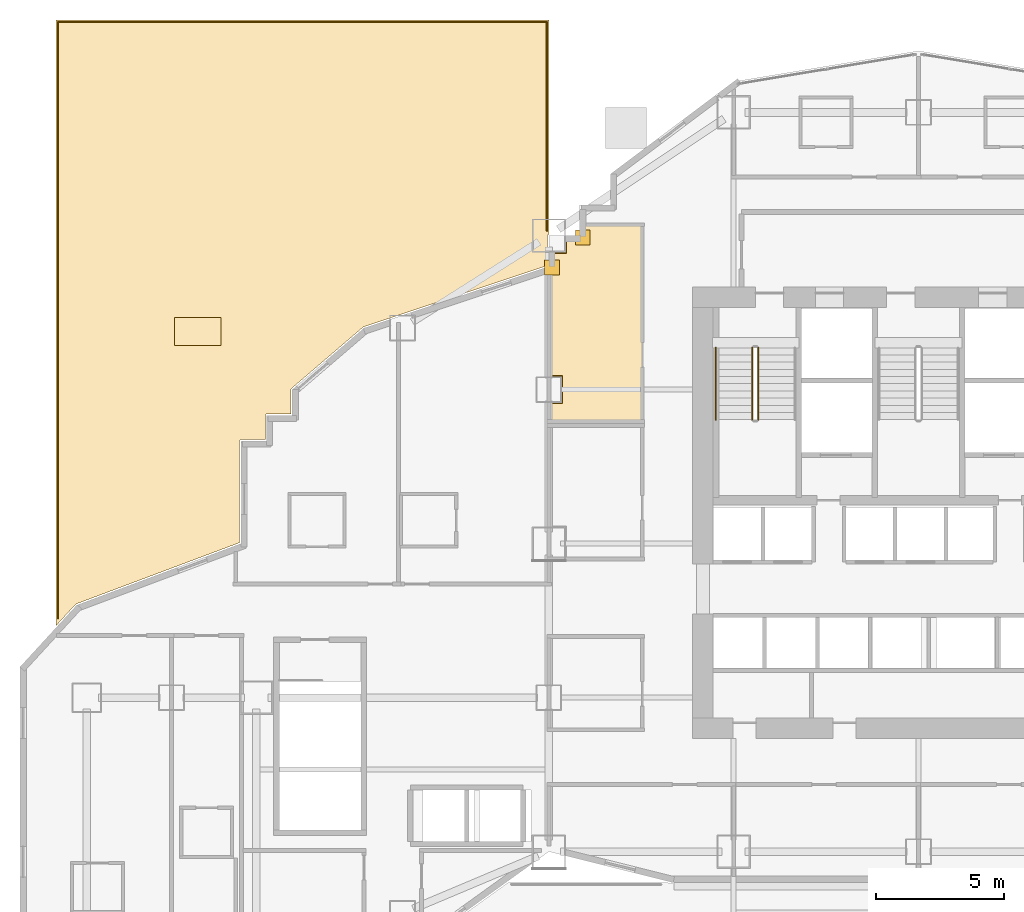
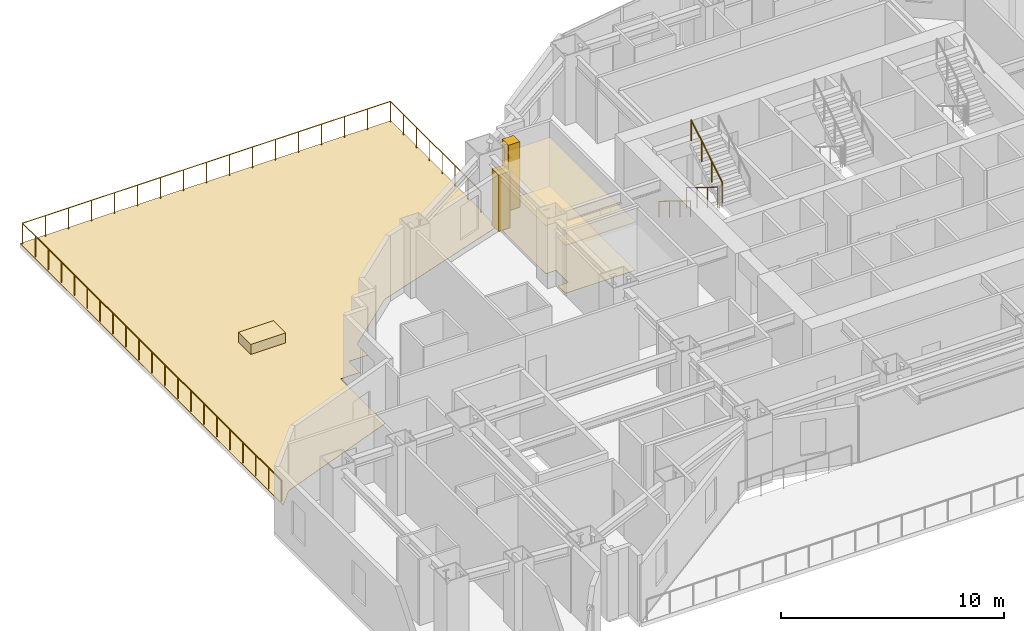
# One storey, part 18 of 20: 6 coverings, 4 railings.
"""IFC4 building model written with IfcOpenShell, lengths in metres."""

from ifc_helpers import new_model, si_unit, direction, frame, origin, origin_2d, place, context, subcontext, project, spatial, polyline, rectangle, circle, outline, extrude, material, layer, layer_set, type_object, element, save


model = new_model("IFC4")

# Units and contexts
model_context = context("Model", 3, precision=1e-05, world=origin(), true_north=direction((0.0, 1.0)))
body_context = subcontext(model_context, "Body", "Model", "MODEL_VIEW")
ifc_project = project(units=[si_unit("LENGTHUNIT", "METRE"), si_unit("AREAUNIT", "SQUARE_METRE"), si_unit("VOLUMEUNIT", "CUBIC_METRE"), si_unit("PLANEANGLEUNIT", "RADIAN"), si_unit("MASSUNIT", "GRAM", prefix="KILO")], contexts=[model_context])

# Site, building, storey
site_placement = place(None, origin())
site = spatial("IfcSite", under=ifc_project, at=site_placement, CompositionType="ELEMENT")
building_placement = place(site_placement, origin())
building = spatial("IfcBuilding", under=site, at=building_placement, Name="Haolan Belvedere Tower", CompositionType="ELEMENT")
storey_placement = place(building_placement, frame((0.0, 0.0, 24.0)))
storey = spatial("IfcBuildingStorey", under=building, at=storey_placement, Name="L05", CompositionType="ELEMENT", Elevation=24.0)

# Coverings
ifc_material_1 = material(Name="Acoustic mineral-fibre suspended ceiling system", Category="masonry")
ifc_layer_1 = layer(ifc_material_1, 0.02490234375, Name="Acoustic mineral-fibre suspended ceiling system")
ifc_layer_set_1 = layer_set([ifc_layer_1], Name="Acoustic mineral-fibre suspended ceiling system")
covering_type_1 = type_object("IfcCoveringType", Name="COV-CEIL-AC25", PredefinedType="CEILING", material=ifc_layer_set_1)
covering_1_placement = place(storey_placement, frame((0.0, 0.0, 2.64990234375)))
element("IfcCovering", 1, at=covering_1_placement, inside=storey, type_object=covering_type_1, Name="L05 suspended acoustic ceiling L05-VLT.2", PredefinedType="CEILING", context=body_context, shape_type="SweptSolid", body=[
    extrude(outline(polyline([(23.988037109375, 40.114990234375), (24.514892578125, 40.114990234375), (24.514892578125, 39.0849609375), (23.988037109375, 39.0849609375), (23.988037109375, 38.347900390625), (27.652099609375, 38.347900390625), (27.652099609375, 46.031982421875), (25.318115234375, 46.031982421875), (25.318115234375, 45.48193359375), (24.6650390625, 45.48193359375), (24.6650390625, 44.93505859375), (24.117919921875, 44.93505859375), (24.117919921875, 44.31494140625), (23.988037109375, 44.271728515625), (23.988037109375, 40.114990234375)])), origin(), (0.0, 0.0, 1.0), 0.025146484375),
])
ifc_material_2 = material(Name="Pale champagne-silver anodised aluminium rainscreen cladding", Category="aluminium")
ifc_layer_2 = layer(ifc_material_2, 0.034912109375, Name="Pale champagne-silver anodised aluminium rainscreen cladding")
ifc_layer_set_2 = layer_set([ifc_layer_2], Name="Pale champagne-silver anodised aluminium rainscreen cladding")
covering_type_2 = type_object("IfcCoveringType", Name="COV-CLAD-35", PredefinedType="CLADDING", material=ifc_layer_set_2)
covering_2_placement = place(storey_placement, frame((25.320068359375, 45.5224609375, 0.0), z_axis=(0.0, 0.0, 1.0), x_axis=(1.0, 0.0, 0.0)))
element("IfcCovering", 2, at=covering_2_placement, inside=storey, type_object=covering_type_2, Name="L05 pale-metal serrated corner cladding trim 11", PredefinedType="CLADDING", context=body_context, shape_type="SweptSolid", body=[
    extrude(rectangle(XDim=0.580078125, YDim=0.580078125, at=origin_2d()), origin(), (0.0, 0.0, 1.0), 3.60009765625),
])
covering_3_placement = place(storey_placement, frame((24.1201171875, 44.35595703125, 0.0), z_axis=(0.0, 0.0, 1.0), x_axis=(1.0, 0.0, 0.0)))
element("IfcCovering", 3, at=covering_3_placement, inside=storey, type_object=covering_type_2, Name="L05 pale-metal serrated corner cladding trim 12", PredefinedType="CLADDING", context=body_context, shape_type="SweptSolid", body=[
    extrude(rectangle(XDim=0.580078125, YDim=0.580078125, at=origin_2d()), origin(), (0.0, 0.0, 1.0), 3.096923828125),
])
ifc_material_3 = material(Name="Honed terrazzo and natural granite stone flooring", Category="masonry")
ifc_layer_3 = layer(ifc_material_3, 0.014892578125, Name="Honed terrazzo and natural granite stone flooring")
ifc_layer_set_3 = layer_set([ifc_layer_3], Name="Honed terrazzo and natural granite stone flooring")
covering_type_3 = type_object("IfcCoveringType", Name="COV-FLR-STN30", PredefinedType="FLOORING", material=ifc_layer_set_3)
covering_4_placement = place(storey_placement, origin())
element("IfcCovering", 4, at=covering_4_placement, inside=storey, type_object=covering_type_3, Name="L05 polished stone floor finish L05-VLT.2", PredefinedType="FLOORING", context=body_context, shape_type="SweptSolid", body=[
    extrude(outline(polyline([(24.5400390625, 40.139892578125), (24.5400390625, 39.06005859375), (24.012939453125, 39.06005859375), (24.012939453125, 38.373046875), (27.626953125, 38.373046875), (27.626953125, 46.007080078125), (25.343017578125, 46.007080078125), (25.343017578125, 45.45703125), (24.68994140625, 45.45703125), (24.68994140625, 44.909912109375), (24.14306640625, 44.909912109375), (24.14306640625, 44.297119140625), (24.012939453125, 44.253662109375), (24.012939453125, 40.139892578125), (24.5400390625, 40.139892578125)])), origin(), (0.0, 0.0, 1.0), 0.014892578125),
])
ifc_material_4 = material(Name="Engineered lightweight planted garden soil substrate", Category="masonry")
ifc_layer_4 = layer(ifc_material_4, 0.550048828125, Name="Engineered lightweight planted garden soil substrate")
ifc_layer_set_4 = layer_set([ifc_layer_4], Name="Engineered lightweight planted garden soil substrate")
covering_type_4 = type_object("IfcCoveringType", Name="COV-PLANT-550", PredefinedType="MEMBRANE", material=ifc_layer_set_4)
covering_5_placement = place(storey_placement, frame((10.31982421875, 41.863525390625, 0.0), z_axis=(0.0, 0.0, 1.0), x_axis=(1.0, 0.0, 0.0)))
element("IfcCovering", 5, at=covering_5_placement, inside=storey, type_object=covering_type_4, Name="L05 cascade garden terrace PLANTER bed 2", PredefinedType="MEMBRANE", context=body_context, shape_type="SweptSolid", body=[
    extrude(rectangle(XDim=1.800048828125, YDim=1.10009765625, at=origin_2d()), origin(), (0.0, 0.0, 1.0), 0.550048828125),
])
ifc_material_5 = material(Name="Elastomeric waterproof roofing membrane and stone pavers", Category="masonry")
ifc_layer_5 = layer(ifc_material_5, 0.02001953125, Name="Elastomeric waterproof roofing membrane and stone pavers")
ifc_layer_set_5 = layer_set([ifc_layer_5], Name="Elastomeric waterproof roofing membrane and stone pavers")
covering_type_5 = type_object("IfcCoveringType", Name="COV-ROOF-20", PredefinedType="ROOFING", material=ifc_layer_set_5)
covering_6_placement = place(storey_placement, frame((0.0, 0.0, -0.02001953125)))
element("IfcCovering", 6, at=covering_6_placement, inside=storey, type_object=covering_type_5, Name="L05 garden terrace waterproof roofing paver 2", PredefinedType="ROOFING", context=body_context, shape_type="SweptSolid", body=[
    extrude(outline(polyline([(24.0, 45.64990234375), (24.0, 54.0), (4.800048828125, 54.0), (4.800048828125, 30.4013671875), (5.56201171875, 31.232421875), (5.564208984375, 31.234619140625), (5.568359375, 31.238525390625), (5.572021484375, 31.2412109375), (5.576171875, 31.243896484375), (5.581298828125, 31.246337890625), (5.583984375, 31.247314453125), (11.949951171875, 33.634765625), (11.949951171875, 37.59814453125), (11.9501953125, 37.601318359375), (11.95068359375, 37.607421875), (11.95166015625, 37.612060546875), (11.952880859375, 37.61669921875), (11.954833984375, 37.621337890625), (11.957275390625, 37.62548828125), (11.9599609375, 37.629638671875), (11.962890625, 37.633544921875), (11.966552734375, 37.636962890625), (11.97021484375, 37.64013671875), (11.974365234375, 37.642822265625), (11.978759765625, 37.64501953125), (11.983154296875, 37.64697265625), (11.98779296875, 37.6484375), (11.99267578125, 37.6494140625), (11.99853515625, 37.64990234375), (12.001708984375, 37.64990234375), (12.949951171875, 37.64990234375), (12.949951171875, 38.59814453125), (12.9501953125, 38.601318359375), (12.95068359375, 38.607421875), (12.95166015625, 38.612060546875), (12.952880859375, 38.61669921875), (12.954833984375, 38.621337890625), (12.957275390625, 38.62548828125), (12.9599609375, 38.629638671875), (12.962890625, 38.633544921875), (12.966552734375, 38.636962890625), (12.97021484375, 38.64013671875), (12.974365234375, 38.642822265625), (12.978759765625, 38.64501953125), (12.983154296875, 38.64697265625), (12.98779296875, 38.6484375), (12.99267578125, 38.6494140625), (12.99853515625, 38.64990234375), (13.001708984375, 38.64990234375), (13.949951171875, 38.64990234375), (13.949951171875, 39.59814453125), (13.9501953125, 39.601318359375), (13.95068359375, 39.607177734375), (13.951416015625, 39.61181640625), (13.952880859375, 39.616455078125), (13.95458984375, 39.620849609375), (13.956787109375, 39.625), (13.95947265625, 39.629150390625), (13.96240234375, 39.6328125), (13.966552734375, 39.636962890625), (13.96875, 39.63916015625), (16.76611328125, 42.036865234375), (16.7685546875, 42.038818359375), (16.7734375, 42.042236328125), (16.777587890625, 42.04443359375), (16.782958984375, 42.046875), (16.785888671875, 42.048095703125), (23.949951171875, 44.43603515625), (23.949951171875, 45.59814453125), (23.9501953125, 45.601318359375), (23.95068359375, 45.607421875), (23.95166015625, 45.612060546875), (23.952880859375, 45.61669921875), (23.954833984375, 45.621337890625), (23.957275390625, 45.62548828125), (23.9599609375, 45.629638671875), (23.962890625, 45.633544921875), (23.966552734375, 45.636962890625), (23.97021484375, 45.64013671875), (23.974365234375, 45.642822265625), (23.978759765625, 45.64501953125), (23.983154296875, 45.64697265625), (23.98779296875, 45.6484375), (23.99267578125, 45.6494140625), (23.99853515625, 45.64990234375), (24.0, 45.64990234375)])), origin(), (0.0, 0.0, 1.0), 0.02001953125),
])

# Railings
ifc_material_6 = material(Name="Brushed stainless steel 304", Category="steel")
railing_type_1 = type_object("IfcRailingType", Name="RL-STAIR-GRD-1150", PredefinedType="GUARDRAIL", material=ifc_material_6)
railing_1_placement = place(storey_placement, frame((31.919921875, 41.22998046875, 0.172607421875)))
element("IfcRailing", 7, at=railing_1_placement, inside=storey, type_object=railing_type_1, Name="L05 ST1 stair guard 1", PredefinedType="GUARDRAIL", context=body_context, shape_type="SweptSolid", body=[
    extrude(circle(Radius=0.02392578125, at=origin_2d()), frame((0.0, 0.0, 1.1259765625), z_axis=(0.0, -0.851089632645, 0.525020415988), x_axis=(1.0, 0.0, 0.0)), (0.0, 0.0, 1.0), 3.2900390625),
    extrude(circle(Radius=0.02099609375, at=origin_2d()), origin(), (0.0, 0.0, 1.0), 1.101806640625),
    extrude(circle(Radius=0.02099609375, at=origin_2d()), frame((0.0, -0.933349609375, 0.57568359375)), (0.0, 0.0, 1.0), 1.101806640625),
    extrude(circle(Radius=0.02099609375, at=origin_2d()), frame((0.0, -1.86669921875, 1.151611328125)), (0.0, 0.0, 1.0), 1.101806640625),
    extrude(circle(Radius=0.02099609375, at=origin_2d()), frame((0.0, -2.800048828125, 1.727294921875)), (0.0, 0.0, 1.0), 1.101806640625),
])
railing_2_placement = place(storey_placement, frame((32.159912109375, 38.429931640625, 2.07275390625)))
element("IfcRailing", 8, at=railing_2_placement, inside=storey, type_object=railing_type_1, Name="L05 ST1 stair guard 3", PredefinedType="GUARDRAIL", context=body_context, shape_type="SweptSolid", body=[
    extrude(circle(Radius=0.02392578125, at=origin_2d()), frame((0.0, 0.0, 1.1259765625), z_axis=(0.0, 0.851089632645, 0.525020415988), x_axis=(-1.0, 0.0, 0.0)), (0.0, 0.0, 1.0), 3.2900390625),
    extrude(circle(Radius=0.02099609375, at=origin_2d()), origin(), (0.0, 0.0, 1.0), 1.101806640625),
    extrude(circle(Radius=0.02099609375, at=origin_2d()), frame((0.0, 0.933349609375, 0.57568359375)), (0.0, 0.0, 1.0), 1.101806640625),
    extrude(circle(Radius=0.02099609375, at=origin_2d()), frame((0.0, 1.86669921875, 1.151611328125)), (0.0, 0.0, 1.0), 1.101806640625),
    extrude(circle(Radius=0.02099609375, at=origin_2d()), frame((0.0, 2.800048828125, 1.727294921875)), (0.0, 0.0, 1.0), 1.101806640625),
])
railing_type_2 = type_object("IfcRailingType", Name="RL-STAIR-HND-900", PredefinedType="HANDRAIL", material=ifc_material_6)
railing_3_placement = place(storey_placement, frame((30.5, 41.22998046875, 0.172607421875)))
element("IfcRailing", 9, at=railing_3_placement, inside=storey, type_object=railing_type_2, Name="L05 ST1 stair handrail 1", PredefinedType="HANDRAIL", context=body_context, shape_type="SweptSolid", body=[
    extrude(circle(Radius=0.02392578125, at=origin_2d()), frame((0.0, 0.0, 0.8759765625), z_axis=(0.0, -0.851089632645, 0.525020415988), x_axis=(1.0, 0.0, 0.0)), (0.0, 0.0, 1.0), 3.2900390625),
    extrude(circle(Radius=0.02099609375, at=origin_2d()), origin(), (0.0, 0.0, 1.0), 0.851806640625),
    extrude(circle(Radius=0.02099609375, at=origin_2d()), frame((0.0, -0.933349609375, 0.57568359375)), (0.0, 0.0, 1.0), 0.851806640625),
    extrude(circle(Radius=0.02099609375, at=origin_2d()), frame((0.0, -1.86669921875, 1.151611328125)), (0.0, 0.0, 1.0), 0.851806640625),
    extrude(circle(Radius=0.02099609375, at=origin_2d()), frame((0.0, -2.800048828125, 1.727294921875)), (0.0, 0.0, 1.0), 0.851806640625),
])
ifc_material_7 = material(Name="Anodised aluminium and laminated glass balustrade", Category="aluminium")
railing_type_3 = type_object("IfcRailingType", Name="RL-TER-BAL-1150", PredefinedType="BALUSTRADE", material=ifc_material_7)
railing_4_placement = place(storey_placement, frame((4.8798828125, 30.680908203125, 0.0)))
element("IfcRailing", 10, at=railing_4_placement, inside=storey, type_object=railing_type_3, Name="L05 outdoor perimeter balustrade TERR-L05-2-1", PredefinedType="BALUSTRADE", context=body_context, shape_type="SweptSolid", body=[
    extrude(circle(Radius=0.02392578125, at=origin_2d()), frame((0.0, 0.0, 1.1259765625), z_axis=(0.0, 1.0, 0.0), x_axis=(-1.0, 0.0, 0.0)), (0.0, 0.0, 1.0), 23.239013671875),
    extrude(circle(Radius=0.02392578125, at=origin_2d()), frame((0.0, 23.239013671875, 1.1259765625), z_axis=(1.0, 0.0, 0.0), x_axis=(0.0, 1.0, 0.0)), (0.0, 0.0, 1.0), 19.0400390625),
    extrude(circle(Radius=0.02392578125, at=origin_2d()), frame((19.0400390625, 23.239013671875, 1.1259765625), z_axis=(0.0, -1.0, 0.0), x_axis=(1.0, 0.0, 0.0)), (0.0, 0.0, 1.0), 8.139892578125),
    extrude(circle(Radius=0.02099609375, at=origin_2d()), origin(), (0.0, 0.0, 1.0), 1.101806640625),
    extrude(circle(Radius=0.02099609375, at=origin_2d()), frame((0.0, 1.161865234375, 0.0)), (0.0, 0.0, 1.0), 1.101806640625),
    extrude(circle(Radius=0.02099609375, at=origin_2d()), frame((0.0, 2.323974609375, 0.0)), (0.0, 0.0, 1.0), 1.101806640625),
    extrude(circle(Radius=0.02099609375, at=origin_2d()), frame((0.0, 3.48583984375, 0.0)), (0.0, 0.0, 1.0), 1.101806640625),
    extrude(circle(Radius=0.02099609375, at=origin_2d()), frame((0.0, 4.647705078125, 0.0)), (0.0, 0.0, 1.0), 1.101806640625),
    extrude(circle(Radius=0.02099609375, at=origin_2d()), frame((0.0, 5.809814453125, 0.0)), (0.0, 0.0, 1.0), 1.101806640625),
    extrude(circle(Radius=0.02099609375, at=origin_2d()), frame((0.0, 6.9716796875, 0.0)), (0.0, 0.0, 1.0), 1.101806640625),
    extrude(circle(Radius=0.02099609375, at=origin_2d()), frame((0.0, 8.133544921875, 0.0)), (0.0, 0.0, 1.0), 1.101806640625),
    extrude(circle(Radius=0.02099609375, at=origin_2d()), frame((0.0, 9.295654296875, 0.0)), (0.0, 0.0, 1.0), 1.101806640625),
    extrude(circle(Radius=0.02099609375, at=origin_2d()), frame((0.0, 10.45751953125, 0.0)), (0.0, 0.0, 1.0), 1.101806640625),
    extrude(circle(Radius=0.02099609375, at=origin_2d()), frame((0.0, 11.61962890625, 0.0)), (0.0, 0.0, 1.0), 1.101806640625),
    extrude(circle(Radius=0.02099609375, at=origin_2d()), frame((0.0, 12.781494140625, 0.0)), (0.0, 0.0, 1.0), 1.101806640625),
    extrude(circle(Radius=0.02099609375, at=origin_2d()), frame((0.0, 13.943359375, 0.0)), (0.0, 0.0, 1.0), 1.101806640625),
    extrude(circle(Radius=0.02099609375, at=origin_2d()), frame((0.0, 15.10546875, 0.0)), (0.0, 0.0, 1.0), 1.101806640625),
    extrude(circle(Radius=0.02099609375, at=origin_2d()), frame((0.0, 16.267333984375, 0.0)), (0.0, 0.0, 1.0), 1.101806640625),
    extrude(circle(Radius=0.02099609375, at=origin_2d()), frame((0.0, 17.42919921875, 0.0)), (0.0, 0.0, 1.0), 1.101806640625),
    extrude(circle(Radius=0.02099609375, at=origin_2d()), frame((0.0, 18.59130859375, 0.0)), (0.0, 0.0, 1.0), 1.101806640625),
    extrude(circle(Radius=0.02099609375, at=origin_2d()), frame((0.0, 19.753173828125, 0.0)), (0.0, 0.0, 1.0), 1.101806640625),
    extrude(circle(Radius=0.02099609375, at=origin_2d()), frame((0.0, 20.9150390625, 0.0)), (0.0, 0.0, 1.0), 1.101806640625),
    extrude(circle(Radius=0.02099609375, at=origin_2d()), frame((0.0, 22.0771484375, 0.0)), (0.0, 0.0, 1.0), 1.101806640625),
    extrude(circle(Radius=0.02099609375, at=origin_2d()), frame((0.0, 23.239013671875, 0.0)), (0.0, 0.0, 1.0), 1.101806640625),
    extrude(circle(Radius=0.02099609375, at=origin_2d()), frame((1.18994140625, 23.239013671875, 0.0)), (0.0, 0.0, 1.0), 1.101806640625),
    extrude(circle(Radius=0.02099609375, at=origin_2d()), frame((2.3798828125, 23.239013671875, 0.0)), (0.0, 0.0, 1.0), 1.101806640625),
    extrude(circle(Radius=0.02099609375, at=origin_2d()), frame((3.570068359375, 23.239013671875, 0.0)), (0.0, 0.0, 1.0), 1.101806640625),
    extrude(circle(Radius=0.02099609375, at=origin_2d()), frame((4.760009765625, 23.239013671875, 0.0)), (0.0, 0.0, 1.0), 1.101806640625),
    extrude(circle(Radius=0.02099609375, at=origin_2d()), frame((5.949951171875, 23.239013671875, 0.0)), (0.0, 0.0, 1.0), 1.101806640625),
    extrude(circle(Radius=0.02099609375, at=origin_2d()), frame((7.14013671875, 23.239013671875, 0.0)), (0.0, 0.0, 1.0), 1.101806640625),
    extrude(circle(Radius=0.02099609375, at=origin_2d()), frame((8.330078125, 23.239013671875, 0.0)), (0.0, 0.0, 1.0), 1.101806640625),
    extrude(circle(Radius=0.02099609375, at=origin_2d()), frame((9.52001953125, 23.239013671875, 0.0)), (0.0, 0.0, 1.0), 1.101806640625),
    extrude(circle(Radius=0.02099609375, at=origin_2d()), frame((10.7099609375, 23.239013671875, 0.0)), (0.0, 0.0, 1.0), 1.101806640625),
    extrude(circle(Radius=0.02099609375, at=origin_2d()), frame((11.89990234375, 23.239013671875, 0.0)), (0.0, 0.0, 1.0), 1.101806640625),
    extrude(circle(Radius=0.02099609375, at=origin_2d()), frame((13.090087890625, 23.239013671875, 0.0)), (0.0, 0.0, 1.0), 1.101806640625),
    extrude(circle(Radius=0.02099609375, at=origin_2d()), frame((14.280029296875, 23.239013671875, 0.0)), (0.0, 0.0, 1.0), 1.101806640625),
    extrude(circle(Radius=0.02099609375, at=origin_2d()), frame((15.469970703125, 23.239013671875, 0.0)), (0.0, 0.0, 1.0), 1.101806640625),
    extrude(circle(Radius=0.02099609375, at=origin_2d()), frame((16.66015625, 23.239013671875, 0.0)), (0.0, 0.0, 1.0), 1.101806640625),
    extrude(circle(Radius=0.02099609375, at=origin_2d()), frame((17.85009765625, 23.239013671875, 0.0)), (0.0, 0.0, 1.0), 1.101806640625),
    extrude(circle(Radius=0.02099609375, at=origin_2d()), frame((19.0400390625, 23.239013671875, 0.0)), (0.0, 0.0, 1.0), 1.101806640625),
    extrude(circle(Radius=0.02099609375, at=origin_2d()), frame((19.0400390625, 22.076171875, 0.0)), (0.0, 0.0, 1.0), 1.101806640625),
    extrude(circle(Radius=0.02099609375, at=origin_2d()), frame((19.0400390625, 20.913330078125, 0.0)), (0.0, 0.0, 1.0), 1.101806640625),
    extrude(circle(Radius=0.02099609375, at=origin_2d()), frame((19.0400390625, 19.75048828125, 0.0)), (0.0, 0.0, 1.0), 1.101806640625),
    extrude(circle(Radius=0.02099609375, at=origin_2d()), frame((19.0400390625, 18.587646484375, 0.0)), (0.0, 0.0, 1.0), 1.101806640625),
    extrude(circle(Radius=0.02099609375, at=origin_2d()), frame((19.0400390625, 17.4248046875, 0.0)), (0.0, 0.0, 1.0), 1.101806640625),
    extrude(circle(Radius=0.02099609375, at=origin_2d()), frame((19.0400390625, 16.261962890625, 0.0)), (0.0, 0.0, 1.0), 1.101806640625),
    extrude(circle(Radius=0.02099609375, at=origin_2d()), frame((19.0400390625, 15.09912109375, 0.0)), (0.0, 0.0, 1.0), 1.101806640625),
])

save(model, "model.ifc")
